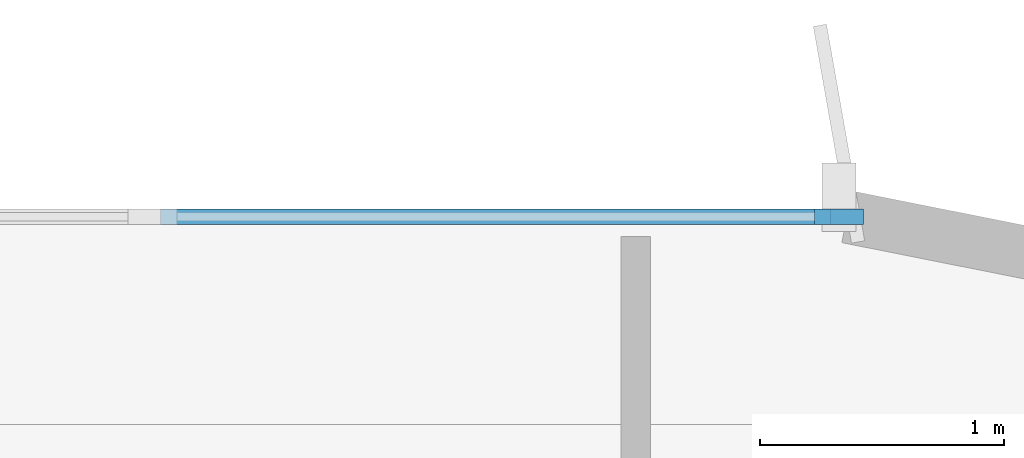
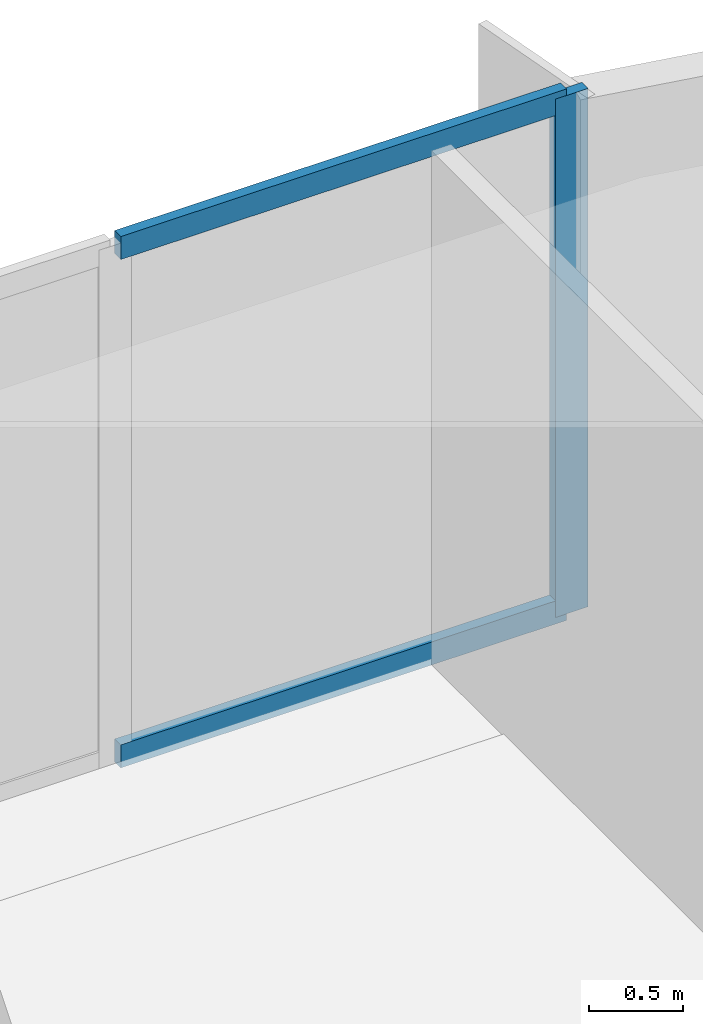
# One storey, part 7 of 17: 3 members, 1 element without a shape of its own.
"""IFC4 building model written with IfcOpenShell, lengths in metres."""

from ifc_helpers import new_model, si_unit, direction, frame, origin, origin_2d, place, context, subcontext, project, spatial, rectangle, extrude, source, transform, mapped, material, layer, layer_set, material_profile, profile_set, type_object, element, aggregate, save


model = new_model("IFC4")

# Units and contexts
model_context = context("Model", 3, precision=1e-05, world=origin(), true_north=direction((0.0, 1.0)))
body_context = subcontext(model_context, "Body", "Model", "MODEL_VIEW")
ifc_project = project(units=[si_unit("LENGTHUNIT", "METRE"), si_unit("AREAUNIT", "SQUARE_METRE"), si_unit("VOLUMEUNIT", "CUBIC_METRE"), si_unit("PLANEANGLEUNIT", "RADIAN"), si_unit("MASSUNIT", "GRAM", prefix="KILO")], contexts=[model_context])

# Site, building, storey
site_placement = place(None, origin())
site = spatial("IfcSite", under=ifc_project, at=site_placement, CompositionType="ELEMENT")
building_placement = place(site_placement, origin())
building = spatial("IfcBuilding", under=site, at=building_placement, Name="Brelvock Crest Care Tower", CompositionType="ELEMENT")
storey_placement = place(building_placement, frame((0.0, 0.0, 76.139892578125)))
storey = spatial("IfcBuildingStorey", under=building, at=storey_placement, Name="L19", CompositionType="ELEMENT", Elevation=76.139892578125)

# Curtain wall, members
ifc_material_1 = material(Name="Dark Glass Double Glazed Low-E", Category="glass")
ifc_layer = layer(ifc_material_1, 0.195068359375, Name="CWS-2")
ifc_layer_set = layer_set([ifc_layer], Name="Dark Glass Double Glazed Low-E")
curtain_wall_type = type_object("IfcCurtainWallType", Name="CWS-2", PredefinedType="NOTDEFINED", material=ifc_layer_set)
curtain_wall_placement = place(storey_placement, origin())
curtain_wall = element("IfcCurtainWall", 1, at=curtain_wall_placement, inside=storey, type_object=curtain_wall_type, Name="L19 Curtain Wall E30", PredefinedType="NOTDEFINED")
ifc_material_2 = material(Name="Aluminium 6063-T6", Category="aluminium")
ifc_material_profile_1 = material_profile(ifc_material_2, rectangle(XDim=0.06494140625, YDim=0.14990234375, at=origin_2d()), Name="ALU65x150")
ifc_profile_set_1 = profile_set([ifc_material_profile_1], Name="Aluminium 6063-T6")
member_type_1 = type_object("IfcMemberType", Name="CWT-1", PredefinedType="USERDEFINED", material=ifc_profile_set_1)
shared_shape_1 = source(origin(), body_context, "Body", "SweptSolid", [
    extrude(rectangle(XDim=0.06494140625, YDim=0.14990234375, at=origin_2d()), origin(), (0.0, 0.0, 1.0), 2.74267578125),
])
member_1_placement = place(storey_placement, frame((53.992431640625, 36.0, 0.03271484375), z_axis=(1.0, 0.0, 0.0), x_axis=(0.0, 1.0, 0.0)))
member_1 = element("IfcMember", 2, at=member_1_placement, type_object=member_type_1, Name="CW-2 transom 5.1", ObjectType="TRANSOM", PredefinedType="USERDEFINED", context=body_context, shape_type="MappedRepresentation", body=[
    mapped(shared_shape_1, transform((0.0, 0.0, 0.0), x_axis=(1.0, 0.0, 0.0), y_axis=(0.0, 1.0, 0.0), z_axis=(0.0, 0.0, 1.0), scale=1.0)),
])
member_2_placement = place(storey_placement, frame((53.992431640625, 36.0, 3.339599609375), z_axis=(1.0, 0.0, 0.0), x_axis=(0.0, 1.0, 0.0)))
member_2 = element("IfcMember", 3, at=member_2_placement, type_object=member_type_1, Name="CW-2 transom 5.2", ObjectType="TRANSOM", PredefinedType="USERDEFINED", context=body_context, shape_type="MappedRepresentation", body=[
    mapped(shared_shape_1, transform((0.0, 0.0, 0.0), x_axis=(1.0, 0.0, 0.0), y_axis=(0.0, 1.0, 0.0), z_axis=(0.0, 0.0, 1.0), scale=1.0)),
])
ifc_material_profile_2 = material_profile(ifc_material_2, rectangle(XDim=0.06494140625, YDim=0.199951171875, at=origin_2d()), Name="ALU65x200")
ifc_profile_set_2 = profile_set([ifc_material_profile_2], Name="Aluminium 6063-T6")
member_type_2 = type_object("IfcMemberType", Name="CWM-1", PredefinedType="MULLION", material=ifc_profile_set_2)
shared_shape_2 = source(origin(), body_context, "Body", "SweptSolid", [
    extrude(rectangle(XDim=0.06494140625, YDim=0.199951171875, at=origin_2d()), origin(), (0.0, 0.0, 1.0), 3.3720703125),
])
member_3_placement = place(storey_placement, frame((56.767578125, 36.0, 0.0), z_axis=(0.0, 0.0, 1.0), x_axis=(0.0, 1.0, 0.0)))
member_3 = element("IfcMember", 4, at=member_3_placement, type_object=member_type_2, Name="CW-2 mullion 6", PredefinedType="MULLION", context=body_context, shape_type="MappedRepresentation", body=[
    mapped(shared_shape_2, transform((0.0, 0.0, 0.0), x_axis=(1.0, 0.0, 0.0), y_axis=(0.0, 1.0, 0.0), z_axis=(0.0, 0.0, 1.0), scale=1.0)),
])
aggregate(curtain_wall, [member_3, member_1, member_2])

save(model, "model.ifc")
